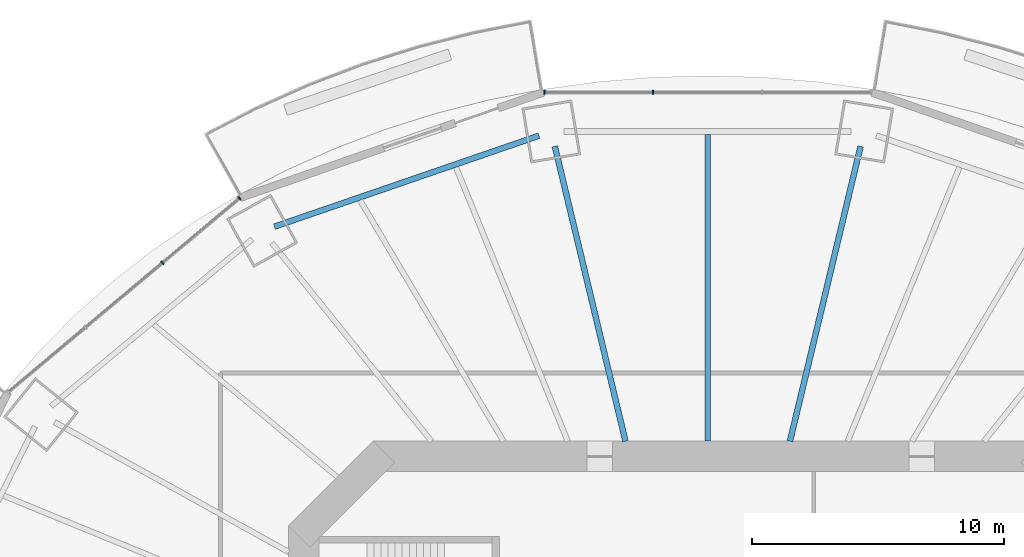
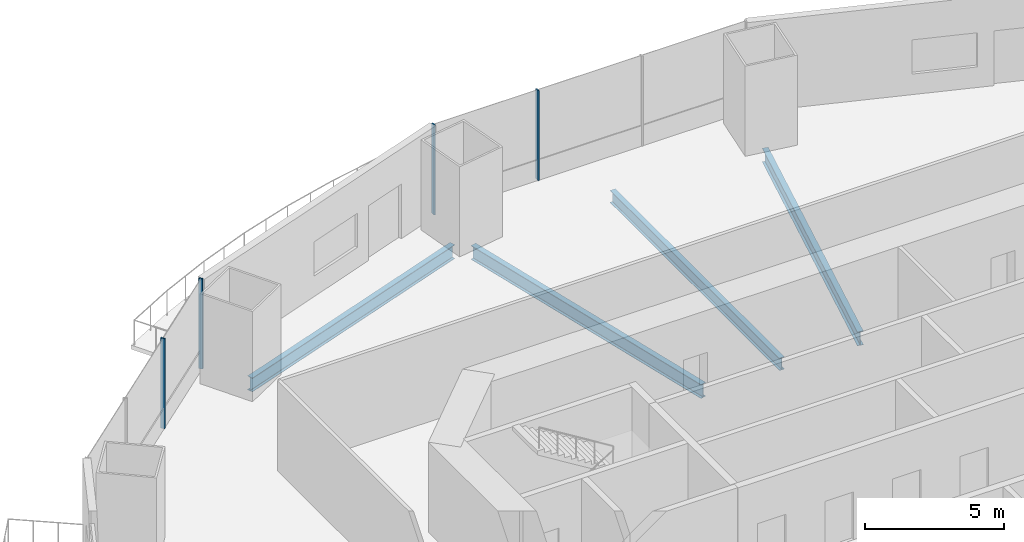
# One storey, part 7 of 18: 4 beams, 4 members, 2 elements without a shape of their own.
"""IFC4 building model written with IfcOpenShell, lengths in metres."""

from ifc_helpers import new_model, si_unit, direction, frame, origin, origin_2d, place, context, subcontext, project, spatial, rectangle, i_section, extrude, material, material_profile, profile_set, type_object, element, aggregate, save


model = new_model("IFC4")

# Units and contexts
model_context = context("Model", 3, precision=1e-05, world=origin(), true_north=direction((0.0, 1.0)))
body_context = subcontext(model_context, "Body", "Model", "MODEL_VIEW")
ifc_project = project(units=[si_unit("LENGTHUNIT", "METRE"), si_unit("AREAUNIT", "SQUARE_METRE"), si_unit("VOLUMEUNIT", "CUBIC_METRE"), si_unit("PLANEANGLEUNIT", "RADIAN"), si_unit("MASSUNIT", "GRAM", prefix="KILO")], contexts=[model_context])

# Site, building, storey
site_placement = place(None, origin())
site = spatial("IfcSite", under=ifc_project, at=site_placement, CompositionType="ELEMENT")
building_placement = place(site_placement, origin())
building = spatial("IfcBuilding", under=site, at=building_placement, Name="Marenthal Gate Tower", CompositionType="ELEMENT")
storey_placement = place(building_placement, frame((0.0, 0.0, 140.89990234375)))
storey = spatial("IfcBuildingStorey", under=building, at=storey_placement, Name="L30", CompositionType="ELEMENT", Elevation=140.89990234375)

# Curtain wall, members
ifc_material_1 = material(Name="Aluminium and glass", Category="aluminium")
curtain_wall_type = type_object("IfcCurtainWallType", Name="Curtain wall typical low", PredefinedType="NOTDEFINED", material=ifc_material_1)
curtain_wall_1_placement = place(storey_placement, origin())
curtain_wall_1 = element("IfcCurtainWall", 1, at=curtain_wall_1_placement, inside=storey, type_object=curtain_wall_type, Name="Curtain wall L30 bay 4", PredefinedType="NOTDEFINED")
ifc_material_2 = material(Name="Aluminium", Category="aluminium")
ifc_material_profile_1 = material_profile(ifc_material_2, rectangle(XDim=0.159912109375, YDim=0.06005859375, at=origin_2d()), Name="60x160 aluminium mullion")
ifc_profile_set_1 = profile_set([ifc_material_profile_1], Name="Aluminium")
member_type = type_object("IfcMemberType", Name="Mullion 60x160 typical low", PredefinedType="MULLION", material=ifc_profile_set_1)
member_1_placement = place(storey_placement, frame((-2.158203125, 27.419921875, 0.0), z_axis=(0.0, 0.0, 1.0), x_axis=(0.0, -1.0, 0.0)))
member_1 = element("IfcMember", 2, at=member_1_placement, type_object=member_type, Name="Mullion L30 bay 4.3", PredefinedType="MULLION", context=body_context, shape_type="SweptSolid", body=[
    extrude(rectangle(XDim=0.159912109375, YDim=0.06005859375, at=origin_2d()), origin(), (0.0, 0.0, 1.0), 3.9501953125),
])
member_2_placement = place(storey_placement, frame((-6.474609375, 27.419921875, 0.0), z_axis=(0.0, 0.0, 1.0), x_axis=(0.0, -1.0, 0.0)))
member_2 = element("IfcMember", 3, at=member_2_placement, type_object=member_type, Name="Mullion L30 bay 4.4", PredefinedType="MULLION", context=body_context, shape_type="SweptSolid", body=[
    extrude(rectangle(XDim=0.159912109375, YDim=0.06005859375, at=origin_2d()), origin(), (0.0, 0.0, 1.0), 3.9501953125),
])
aggregate(curtain_wall_1, [member_1, member_2])

curtain_wall_2_placement = place(storey_placement, origin())
curtain_wall_2 = element("IfcCurtainWall", 4, at=curtain_wall_2_placement, inside=storey, type_object=curtain_wall_type, Name="Curtain wall L30 bay 6", PredefinedType="NOTDEFINED")
member_3_placement = place(storey_placement, frame((-18.546875, 23.22607421875, 0.0), z_axis=(0.0, 0.0, 1.0), x_axis=(0.642510826857, -0.766276606305, 0.0)))
member_3 = element("IfcMember", 5, at=member_3_placement, type_object=member_type, Name="Mullion L30 bay 6.1", PredefinedType="MULLION", context=body_context, shape_type="SweptSolid", body=[
    extrude(rectangle(XDim=0.159912109375, YDim=0.06005859375, at=origin_2d()), origin(), (0.0, 0.0, 1.0), 3.9501953125),
])
member_4_placement = place(storey_placement, frame((-21.597900390625, 20.66796875, 0.0), z_axis=(0.0, 0.0, 1.0), x_axis=(0.642510826857, -0.766276606305, 0.0)))
member_4 = element("IfcMember", 6, at=member_4_placement, type_object=member_type, Name="Mullion L30 bay 6.2", PredefinedType="MULLION", context=body_context, shape_type="SweptSolid", body=[
    extrude(rectangle(XDim=0.159912109375, YDim=0.06005859375, at=origin_2d()), origin(), (0.0, 0.0, 1.0), 3.9501953125),
])
aggregate(curtain_wall_2, [member_3, member_4])

# Beams
ifc_material_3 = material(Name="Steel S355", Category="steel")
ifc_material_profile_2 = material_profile(ifc_material_3, i_section(OverallWidth=0.2119140625, OverallDepth=0.5439453125, WebThickness=0.01318359375, FlangeThickness=0.021240234375, FilletRadius=0.0126953125, at=origin_2d()), Name="W530X123")
ifc_profile_set_2 = profile_set([ifc_material_profile_2], Name="Steel S355")
beam_type_1 = type_object("IfcBeamType", Name="W530X123 beam", PredefinedType="BEAM", material=ifc_profile_set_2)
beam_1_placement = place(storey_placement, frame((0.0, 25.755615234375, -0.451904296875), z_axis=(0.0, -1.0, 0.0), x_axis=(1.0, 0.0, 0.0)))
element("IfcBeam", 7, at=beam_1_placement, inside=storey, type_object=beam_type_1, Name="BM-L30-22", PredefinedType="BEAM", context=body_context, shape_type="SweptSolid", body=[
    extrude(i_section(OverallWidth=0.2119140625, OverallDepth=0.5439453125, WebThickness=0.01318359375, FlangeThickness=0.021240234375, FilletRadius=0.0126953125, at=origin_2d()), origin(), (0.0, 0.0, 1.0), 12.155517578125),
])
ifc_material_4 = material(Name="Steel S355", Category="steel")
ifc_material_profile_3 = material_profile(ifc_material_4, i_section(OverallWidth=0.22900390625, OverallDepth=0.612060546875, WebThickness=0.011962890625, FlangeThickness=0.01953125, FilletRadius=0.0126953125, at=origin_2d()), Name="W610X125")
ifc_profile_set_3 = profile_set([ifc_material_profile_3], Name="Steel S355")
beam_type_2 = type_object("IfcBeamType", Name="W610X125 beam", PredefinedType="BEAM", material=ifc_profile_set_3)
for number, where, z_axis, x_axis, name in (
    (8, (6.05615234375, 25.283935546875, -0.48583984375), (-0.232937154271, -0.972491790279, 0.0), (0.972491790279, -0.232937154271, 0.0), "BM-L30-04"),
    (9, (-6.05615234375, 25.283935546875, -0.48583984375), (0.232937154271, -0.972491790279, 0.0), (0.972491790279, 0.232937154271, 0.0), "BM-L30-05"),
):
    element("IfcBeam", number, at=place(storey_placement, frame(where, z_axis=z_axis, x_axis=x_axis)), inside=storey, type_object=beam_type_2, Name=name, PredefinedType="BEAM", context=body_context, shape_type="SweptSolid", body=[
        extrude(i_section(OverallWidth=0.22900390625, OverallDepth=0.612060546875, WebThickness=0.011962890625, FlangeThickness=0.01953125, FilletRadius=0.0126953125, at=origin_2d()), origin(), (0.0, 0.0, 1.0), 12.014404296875),
    ])
beam_2_placement = place(storey_placement, frame((-6.682861328125, 25.702880859375, -0.48583984375), z_axis=(-0.945616285836, -0.325284244871, 0.0), x_axis=(0.325284244871, -0.945616285836, 0.0)))
element("IfcBeam", 10, at=beam_2_placement, inside=storey, type_object=beam_type_2, Name="BM-L30-45", PredefinedType="BEAM", context=body_context, shape_type="SweptSolid", body=[
    extrude(i_section(OverallWidth=0.22900390625, OverallDepth=0.612060546875, WebThickness=0.011962890625, FlangeThickness=0.01953125, FilletRadius=0.0126953125, at=origin_2d()), origin(), (0.0, 0.0, 1.0), 11.078125),
])

save(model, "model.ifc")
